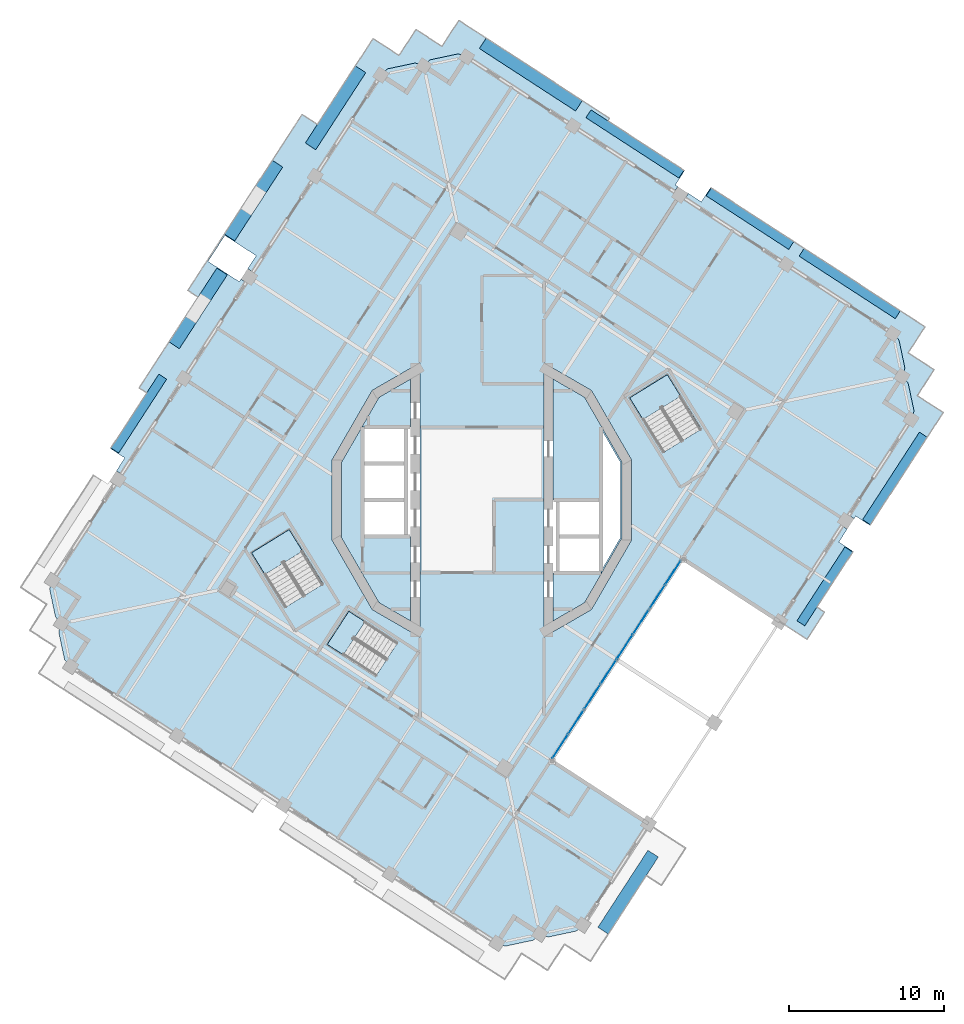
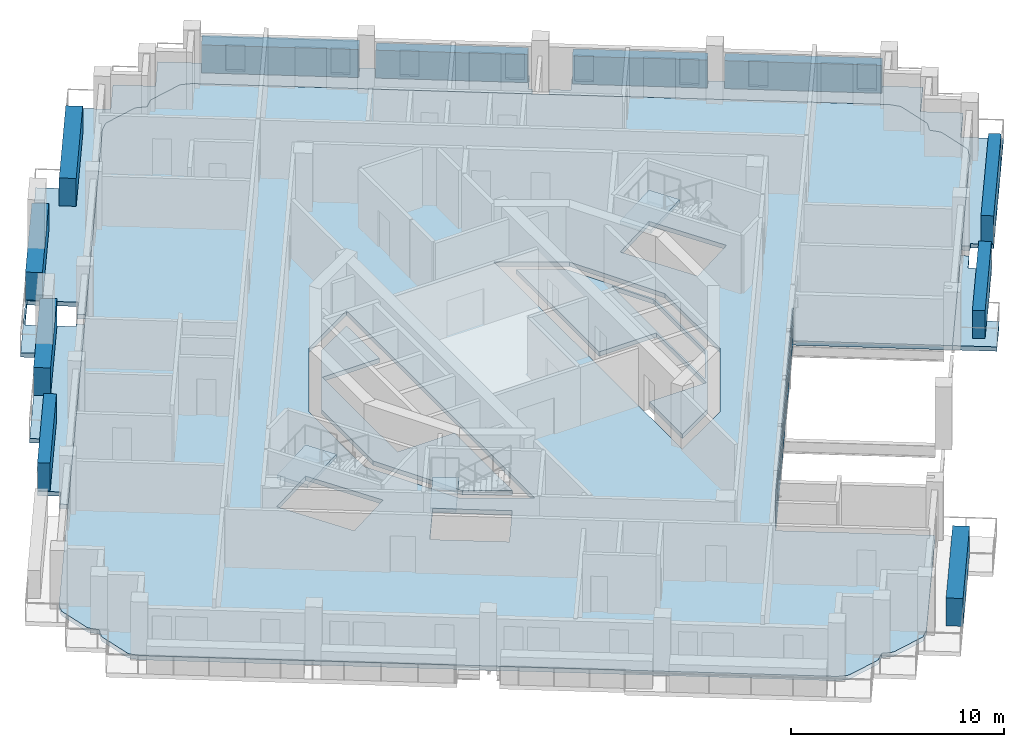
# One storey, part 4 of 17: 27 plates, 9 slabs, 4 elements without a shape of their own.
"""IFC4 building model written with IfcOpenShell, lengths in metres."""

from ifc_helpers import new_model, si_unit, direction, frame, origin, origin_2d, place, context, subcontext, project, spatial, polyline, rectangle, outline, extrude, material, layer, layer_set, type_object, element, aggregate, save


model = new_model("IFC4")

# Units and contexts
model_context = context("Model", 3, precision=1e-05, world=origin(), true_north=direction((0.0, 1.0)))
body_context = subcontext(model_context, "Body", "Model", "MODEL_VIEW")
ifc_project = project(units=[si_unit("LENGTHUNIT", "METRE"), si_unit("AREAUNIT", "SQUARE_METRE"), si_unit("VOLUMEUNIT", "CUBIC_METRE"), si_unit("PLANEANGLEUNIT", "RADIAN"), si_unit("MASSUNIT", "GRAM", prefix="KILO")], contexts=[model_context])

# Site, building, storey
site_placement = place(None, origin())
site = spatial("IfcSite", under=ifc_project, at=site_placement, CompositionType="ELEMENT")
building_placement = place(site_placement, origin())
building = spatial("IfcBuilding", under=site, at=building_placement, Name="Cantera Rosa Tower", CompositionType="ELEMENT")
storey_placement = place(building_placement, frame((0.0, 0.0, 257.699951171875)))
storey = spatial("IfcBuildingStorey", under=building, at=storey_placement, Name="L57", CompositionType="ELEMENT", Elevation=257.699951171875)

# Slabs
ifc_material_1 = material(Name="Concrete C35/45", Category="concrete")
ifc_layer_1 = layer(ifc_material_1, 0.25)
ifc_layer_set_1 = layer_set([ifc_layer_1], Name="COMPOSITE FLOOR SLAB 250 C35/45")
slab_type_1 = type_object("IfcSlabType", Name="COMPOSITE FLOOR SLAB 250 C35/45", PredefinedType="FLOOR", material=ifc_layer_set_1)
slab_1_placement = place(storey_placement, frame((0.0, 0.0, -0.25)))
element("IfcSlab", 1, at=slab_1_placement, inside=storey, type_object=slab_type_1, Name="SLAB L57 floor 1", PredefinedType="FLOOR", context=body_context, shape_type="SweptSolid", body=[
    extrude(outline(polyline([(-4.60009765625, -2.35009765625), (-4.60009765625, -7.804931640625), (-6.6318359375, -6.6318359375), (-9.059326171875, -2.427490234375), (-9.059326171875, 2.427490234375), (-6.6318359375, 6.6318359375), (-4.60009765625, 7.804931640625), (-4.60009765625, 4.699951171875), (-7.699951171875, 4.699951171875), (-7.699951171875, 2.35009765625), (-7.699951171875, 0.0), (-7.699951171875, -2.35009765625), (-4.60009765625, -2.35009765625)])), origin(), (0.0, 0.0, 1.0), 0.25),
])
slab_2_placement = place(storey_placement, frame((0.0, 0.0, -0.25)))
element("IfcSlab", 2, at=slab_2_placement, inside=storey, type_object=slab_type_1, Name="SLAB L57 floor 2", PredefinedType="FLOOR", context=body_context, shape_type="SweptSolid", body=[
    extrude(outline(polyline([(0.982421875, -28.598876953125), (0.106689453125, -28.030029296875), (-25.650146484375, -11.303466796875), (-26.52587890625, -10.734619140625), (-26.852783203125, -10.396240234375), (-26.873046875, -10.374755859375), (-26.890869140625, -10.351318359375), (-26.90625, -10.326416015625), (-26.919189453125, -10.2998046875), (-26.929443359375, -10.272216796875), (-26.93701171875, -10.243896484375), (-27.289794921875, -8.583740234375), (-27.294677734375, -8.5546875), (-27.29638671875, -8.525390625), (-27.29541015625, -8.49609375), (-27.29150390625, -8.466796875), (-27.28466796875, -8.43798828125), (-27.275146484375, -8.410400390625), (-27.114013671875, -7.968017578125), (-27.44091796875, -7.629638671875), (-27.461181640625, -7.608154296875), (-27.47900390625, -7.584716796875), (-27.494384765625, -7.559814453125), (-27.50732421875, -7.533203125), (-27.517578125, -7.505615234375), (-27.525146484375, -7.477294921875), (-27.8779296875, -5.817138671875), (-27.882568359375, -5.7880859375), (-27.884521484375, -5.7587890625), (-27.88330078125, -5.729248046875), (-27.87939453125, -5.7001953125), (-27.872802734375, -5.67138671875), (-27.863037109375, -5.643798828125), (-27.7021484375, -5.201416015625), (-27.13330078125, -4.32568359375), (-7.08447265625, 26.547119140625), (-6.515625, 27.4228515625), (-6.17724609375, 27.749755859375), (-6.15576171875, 27.769775390625), (-6.132080078125, 27.78759765625), (-6.107177734375, 27.802978515625), (-6.080810546875, 27.81591796875), (-6.05322265625, 27.826416015625), (-6.024658203125, 27.833740234375), (-4.36474609375, 28.186767578125), (-4.335693359375, 28.19140625), (-4.306396484375, 28.193115234375), (-4.27685546875, 28.192138671875), (-4.247802734375, 28.188232421875), (-4.218994140625, 28.181396484375), (-4.191162109375, 28.171875), (-3.7490234375, 28.0107421875), (-3.41064453125, 28.337890625), (-3.388916015625, 28.35791015625), (-3.365478515625, 28.375732421875), (-3.340576171875, 28.39111328125), (-3.314208984375, 28.404052734375), (-3.28662109375, 28.414306640625), (-3.258056640625, 28.421875), (-1.59814453125, 28.774658203125), (-1.569091796875, 28.779296875), (-1.539794921875, 28.78125), (-1.51025390625, 28.7802734375), (-1.481201171875, 28.7763671875), (-1.452392578125, 28.76953125), (-1.424560546875, 28.760009765625), (-0.982421875, 28.598876953125), (-0.106689453125, 28.030029296875), (25.650146484375, 11.303466796875), (26.52587890625, 10.734619140625), (26.852783203125, 10.396240234375), (26.873046875, 10.374755859375), (26.890869140625, 10.351318359375), (26.90625, 10.326416015625), (26.919189453125, 10.2998046875), (26.929443359375, 10.272216796875), (26.93701171875, 10.243896484375), (27.289794921875, 8.583740234375), (27.294677734375, 8.5546875), (27.29638671875, 8.525390625), (27.29541015625, 8.49609375), (27.29150390625, 8.466796875), (27.28466796875, 8.43798828125), (27.275146484375, 8.410400390625), (27.114013671875, 7.968017578125), (27.44091796875, 7.629638671875), (27.461181640625, 7.608154296875), (27.47900390625, 7.584716796875), (27.494384765625, 7.559814453125), (27.50732421875, 7.533203125), (27.517578125, 7.505615234375), (27.525146484375, 7.477294921875), (27.8779296875, 5.817138671875), (27.882568359375, 5.7880859375), (27.884521484375, 5.7587890625), (27.88330078125, 5.729248046875), (27.87939453125, 5.7001953125), (27.872802734375, 5.67138671875), (27.863037109375, 5.643798828125), (27.7021484375, 5.201416015625), (27.13330078125, 4.32568359375), (19.2275390625, -7.84814453125), (12.9375, -3.763427734375), (4.462890625, -16.81298828125), (10.7529296875, -20.89794921875), (7.08447265625, -26.547119140625), (6.515625, -27.4228515625), (6.17724609375, -27.749755859375), (6.15576171875, -27.769775390625), (6.132080078125, -27.78759765625), (6.107177734375, -27.802978515625), (6.080810546875, -27.81591796875), (6.05322265625, -27.826416015625), (6.024658203125, -27.833740234375), (4.36474609375, -28.186767578125), (4.335693359375, -28.19140625), (4.306396484375, -28.193115234375), (4.27685546875, -28.192138671875), (4.247802734375, -28.188232421875), (4.218994140625, -28.181396484375), (4.191162109375, -28.171875), (3.7490234375, -28.0107421875), (3.41064453125, -28.337890625), (3.388916015625, -28.35791015625), (3.365478515625, -28.375732421875), (3.340576171875, -28.39111328125), (3.314208984375, -28.404052734375), (3.28662109375, -28.414306640625), (3.258056640625, -28.421875), (1.59814453125, -28.774658203125), (1.569091796875, -28.779296875), (1.539794921875, -28.78125), (1.51025390625, -28.7802734375), (1.481201171875, -28.7763671875), (1.452392578125, -28.76953125), (1.424560546875, -28.760009765625), (0.982421875, -28.598876953125)]), holes=[polyline([(-8.581298828125, -7.1826171875), (-9.97021484375, -9.3212890625), (-6.835205078125, -11.357177734375), (-5.4462890625, -9.218505859375), (-8.581298828125, -7.1826171875)]), polyline([(-10.258544921875, -5.433349609375), (-12.430908203125, -1.911376953125), (-14.8564453125, -3.407470703125), (-12.68408203125, -6.929443359375), (-10.258544921875, -5.433349609375)]), polyline([(-9.6591796875, 2.588134765625), (-9.6591796875, -2.588134765625), (-7.071044921875, -7.071044921875), (-4.0, -8.843994140625), (-4.0, 8.843994140625), (-7.071044921875, 7.071044921875), (-9.6591796875, 2.588134765625)]), polyline([(9.6591796875, -2.588134765625), (9.6591796875, 2.588134765625), (7.071044921875, 7.071044921875), (4.0, 8.843994140625), (4.0, -8.843994140625), (7.071044921875, -7.071044921875), (9.6591796875, -2.588134765625)]), polyline([(14.1416015625, 4.566650390625), (11.96923828125, 8.088623046875), (9.54345703125, 6.592529296875), (11.7158203125, 3.070556640625), (14.1416015625, 4.566650390625)])]), origin(), (0.0, 0.0, 1.0), 0.25),
])
slab_3_placement = place(storey_placement, frame((0.0, 0.0, -0.25)))
element("IfcSlab", 3, at=slab_3_placement, inside=storey, type_object=slab_type_1, Name="SLAB L57 floor 3", PredefinedType="FLOOR", context=body_context, shape_type="SweptSolid", body=[
    extrude(outline(polyline([(7.699951171875, 0.0), (4.60009765625, 0.0), (4.60009765625, 7.804931640625), (6.6318359375, 6.6318359375), (9.059326171875, 2.427490234375), (9.059326171875, -2.427490234375), (6.6318359375, -6.6318359375), (4.60009765625, -7.804931640625), (4.60009765625, -4.699951171875), (7.699951171875, -4.699951171875), (7.699951171875, -2.35009765625), (7.699951171875, 0.0)]), holes=[polyline([(7.800048828125, 4.408447265625), (7.800048828125, 2.449951171875), (7.800048828125, 2.25), (7.800048828125, -2.25), (7.800048828125, -2.449951171875), (7.800048828125, -4.408447265625), (8.959228515625, -2.400634765625), (8.959228515625, 2.400634765625), (7.800048828125, 4.408447265625)])]), origin(), (0.0, 0.0, 1.0), 0.25),
])

# Curtain wall, plates
ifc_material_2 = material(Name="Aluminium frame with clear glass", Category="aluminium")
curtain_wall_type = type_object("IfcCurtainWallType", Name="CW1 TERRACE POCKET GLAZING", PredefinedType="NOTDEFINED", material=ifc_material_2)
curtain_wall_placement = place(storey_placement, origin())
curtain_wall = element("IfcCurtainWall", 4, at=curtain_wall_placement, inside=storey, type_object=curtain_wall_type, Name="CW1 CW1", PredefinedType="NOTDEFINED")
ifc_material_3 = material(Name="Aluminium frame with clear glass", Category="aluminium")
ifc_layer_2 = layer(ifc_material_3, 0.028076171875)
ifc_layer_set_2 = layer_set([ifc_layer_2], Name="CW-PANEL POCKET")
plate_type_1 = type_object("IfcPlateType", Name="CW-PANEL POCKET", PredefinedType="CURTAIN_PANEL", material=ifc_layer_set_2)
plate_1_placement = place(storey_placement, frame((5.060302734375, -15.893310546875, 0.06005859375), z_axis=(0.0, 0.0, 1.0), x_axis=(0.544639034986, 0.838670567964, 0.0)))
plate_1 = element("IfcPlate", 5, at=plate_1_placement, type_object=plate_type_1, Name="CW1 panel 1.1", PredefinedType="CURTAIN_PANEL", context=body_context, shape_type="SweptSolid", body=[
    extrude(rectangle(XDim=1.82373046875, YDim=0.028076171875, at=origin_2d()), origin(), (0.0, 0.0, 1.0), 0.94091796875),
])
plate_2_placement = place(storey_placement, frame((5.060302734375, -15.893310546875, 1.06103515625), z_axis=(0.0, 0.0, 1.0), x_axis=(0.544639034986, 0.838670567964, 0.0)))
plate_2 = element("IfcPlate", 6, at=plate_2_placement, type_object=plate_type_1, Name="CW1 panel 1.2", PredefinedType="CURTAIN_PANEL", context=body_context, shape_type="SweptSolid", body=[
    extrude(rectangle(XDim=1.82373046875, YDim=0.028076171875, at=origin_2d()), origin(), (0.0, 0.0, 1.0), 0.94091796875),
])
plate_3_placement = place(storey_placement, frame((6.094482421875, -14.30078125, 0.06005859375), z_axis=(0.0, 0.0, 1.0), x_axis=(0.544639034986, 0.838670567964, 0.0)))
plate_3 = element("IfcPlate", 7, at=plate_3_placement, type_object=plate_type_1, Name="CW1 panel 2.1", PredefinedType="CURTAIN_PANEL", context=body_context, shape_type="SweptSolid", body=[
    extrude(rectangle(XDim=1.853759765625, YDim=0.028076171875, at=origin_2d()), origin(), (0.0, 0.0, 1.0), 0.94091796875),
])
plate_4_placement = place(storey_placement, frame((6.094482421875, -14.30078125, 1.06103515625), z_axis=(0.0, 0.0, 1.0), x_axis=(0.544639034986, 0.838670567964, 0.0)))
plate_4 = element("IfcPlate", 8, at=plate_4_placement, type_object=plate_type_1, Name="CW1 panel 2.2", PredefinedType="CURTAIN_PANEL", context=body_context, shape_type="SweptSolid", body=[
    extrude(rectangle(XDim=1.853759765625, YDim=0.028076171875, at=origin_2d()), origin(), (0.0, 0.0, 1.0), 0.94091796875),
])
plate_5_placement = place(storey_placement, frame((7.13671875, -12.69580078125, 0.06005859375), z_axis=(0.0, 0.0, 1.0), x_axis=(0.544639034986, 0.838670567964, 0.0)))
plate_5 = element("IfcPlate", 9, at=plate_5_placement, type_object=plate_type_1, Name="CW1 panel 3.1", PredefinedType="CURTAIN_PANEL", context=body_context, shape_type="SweptSolid", body=[
    extrude(rectangle(XDim=1.853759765625, YDim=0.028076171875, at=origin_2d()), origin(), (0.0, 0.0, 1.0), 0.94091796875),
])
plate_6_placement = place(storey_placement, frame((7.13671875, -12.69580078125, 1.06103515625), z_axis=(0.0, 0.0, 1.0), x_axis=(0.544639034986, 0.838670567964, 0.0)))
plate_6 = element("IfcPlate", 10, at=plate_6_placement, type_object=plate_type_1, Name="CW1 panel 3.2", PredefinedType="CURTAIN_PANEL", context=body_context, shape_type="SweptSolid", body=[
    extrude(rectangle(XDim=1.853759765625, YDim=0.028076171875, at=origin_2d()), origin(), (0.0, 0.0, 1.0), 0.94091796875),
])
plate_7_placement = place(storey_placement, frame((8.178955078125, -11.0908203125, 0.06005859375), z_axis=(0.0, 0.0, 1.0), x_axis=(0.544639034986, 0.838670567964, 0.0)))
plate_7 = element("IfcPlate", 11, at=plate_7_placement, type_object=plate_type_1, Name="CW1 panel 4.1", PredefinedType="CURTAIN_PANEL", context=body_context, shape_type="SweptSolid", body=[
    extrude(rectangle(XDim=1.853759765625, YDim=0.028076171875, at=origin_2d()), origin(), (0.0, 0.0, 1.0), 0.94091796875),
])
plate_8_placement = place(storey_placement, frame((8.178955078125, -11.0908203125, 1.06103515625), z_axis=(0.0, 0.0, 1.0), x_axis=(0.544639034986, 0.838670567964, 0.0)))
plate_8 = element("IfcPlate", 12, at=plate_8_placement, type_object=plate_type_1, Name="CW1 panel 4.2", PredefinedType="CURTAIN_PANEL", context=body_context, shape_type="SweptSolid", body=[
    extrude(rectangle(XDim=1.853759765625, YDim=0.028076171875, at=origin_2d()), origin(), (0.0, 0.0, 1.0), 0.94091796875),
])
plate_9_placement = place(storey_placement, frame((9.221435546875, -9.48583984375, 0.06005859375), z_axis=(0.0, 0.0, 1.0), x_axis=(0.544639034986, 0.838670567964, 0.0)))
plate_9 = element("IfcPlate", 13, at=plate_9_placement, type_object=plate_type_1, Name="CW1 panel 5.1", PredefinedType="CURTAIN_PANEL", context=body_context, shape_type="SweptSolid", body=[
    extrude(rectangle(XDim=1.853759765625, YDim=0.028076171875, at=origin_2d()), origin(), (0.0, 0.0, 1.0), 0.94091796875),
])
plate_10_placement = place(storey_placement, frame((9.221435546875, -9.48583984375, 1.06103515625), z_axis=(0.0, 0.0, 1.0), x_axis=(0.544639034986, 0.838670567964, 0.0)))
plate_10 = element("IfcPlate", 14, at=plate_10_placement, type_object=plate_type_1, Name="CW1 panel 5.2", PredefinedType="CURTAIN_PANEL", context=body_context, shape_type="SweptSolid", body=[
    extrude(rectangle(XDim=1.853759765625, YDim=0.028076171875, at=origin_2d()), origin(), (0.0, 0.0, 1.0), 0.94091796875),
])
plate_11_placement = place(storey_placement, frame((10.263671875, -7.880859375, 0.06005859375), z_axis=(0.0, 0.0, 1.0), x_axis=(0.544639034986, 0.838670567964, 0.0)))
plate_11 = element("IfcPlate", 15, at=plate_11_placement, type_object=plate_type_1, Name="CW1 panel 6.1", PredefinedType="CURTAIN_PANEL", context=body_context, shape_type="SweptSolid", body=[
    extrude(rectangle(XDim=1.853759765625, YDim=0.028076171875, at=origin_2d()), origin(), (0.0, 0.0, 1.0), 0.94091796875),
])
plate_12_placement = place(storey_placement, frame((10.263671875, -7.880859375, 1.06103515625), z_axis=(0.0, 0.0, 1.0), x_axis=(0.544639034986, 0.838670567964, 0.0)))
plate_12 = element("IfcPlate", 16, at=plate_12_placement, type_object=plate_type_1, Name="CW1 panel 6.2", PredefinedType="CURTAIN_PANEL", context=body_context, shape_type="SweptSolid", body=[
    extrude(rectangle(XDim=1.853759765625, YDim=0.028076171875, at=origin_2d()), origin(), (0.0, 0.0, 1.0), 0.94091796875),
])
plate_13_placement = place(storey_placement, frame((11.305908203125, -6.27587890625, 0.06005859375), z_axis=(0.0, 0.0, 1.0), x_axis=(0.544639034986, 0.838670567964, 0.0)))
plate_13 = element("IfcPlate", 17, at=plate_13_placement, type_object=plate_type_1, Name="CW1 panel 7.1", PredefinedType="CURTAIN_PANEL", context=body_context, shape_type="SweptSolid", body=[
    extrude(rectangle(XDim=1.853759765625, YDim=0.028076171875, at=origin_2d()), origin(), (0.0, 0.0, 1.0), 0.94091796875),
])
plate_14_placement = place(storey_placement, frame((11.305908203125, -6.27587890625, 1.06103515625), z_axis=(0.0, 0.0, 1.0), x_axis=(0.544639034986, 0.838670567964, 0.0)))
plate_14 = element("IfcPlate", 18, at=plate_14_placement, type_object=plate_type_1, Name="CW1 panel 7.2", PredefinedType="CURTAIN_PANEL", context=body_context, shape_type="SweptSolid", body=[
    extrude(rectangle(XDim=1.853759765625, YDim=0.028076171875, at=origin_2d()), origin(), (0.0, 0.0, 1.0), 0.94091796875),
])
plate_15_placement = place(storey_placement, frame((12.340087890625, -4.683349609375, 0.06005859375), z_axis=(0.0, 0.0, 1.0), x_axis=(0.544639034986, 0.838670567964, 0.0)))
plate_15 = element("IfcPlate", 19, at=plate_15_placement, type_object=plate_type_1, Name="CW1 panel 8.1", PredefinedType="CURTAIN_PANEL", context=body_context, shape_type="SweptSolid", body=[
    extrude(rectangle(XDim=1.82373046875, YDim=0.028076171875, at=origin_2d()), origin(), (0.0, 0.0, 1.0), 0.94091796875),
])
plate_16_placement = place(storey_placement, frame((12.340087890625, -4.683349609375, 1.06103515625), z_axis=(0.0, 0.0, 1.0), x_axis=(0.544639034986, 0.838670567964, 0.0)))
plate_16 = element("IfcPlate", 20, at=plate_16_placement, type_object=plate_type_1, Name="CW1 panel 8.2", PredefinedType="CURTAIN_PANEL", context=body_context, shape_type="SweptSolid", body=[
    extrude(rectangle(XDim=1.82373046875, YDim=0.028076171875, at=origin_2d()), origin(), (0.0, 0.0, 1.0), 0.94091796875),
])
aggregate(curtain_wall, [plate_1, plate_2, plate_3, plate_4, plate_5, plate_6, plate_7, plate_8, plate_9, plate_10, plate_11, plate_12, plate_13, plate_14, plate_15, plate_16])

# Slabs
ifc_material_4 = material(Name="Concrete C35/45", Category="concrete")
ifc_layer_3 = layer(ifc_material_4, 0.25)
ifc_layer_set_3 = layer_set([ifc_layer_3], Name="LOGGIA SLAB 250 C35/45")
slab_type_2 = type_object("IfcSlabType", Name="LOGGIA SLAB 250 C35/45", PredefinedType="FLOOR", material=ifc_layer_set_3)
slab_4_placement = place(storey_placement, frame((0.0, 0.0, -0.25)))
element("IfcSlab", 21, at=slab_4_placement, inside=storey, type_object=slab_type_2, Name="LOGGIA SLAB L57 2", PredefinedType="FLOOR", context=body_context, shape_type="SweptSolid", body=[
    extrude(outline(polyline([(-18.31005859375, 13.0966796875), (-18.97216796875, 13.526611328125), (-11.599365234375, 24.8798828125), (-10.61083984375, 24.238037109375), (-7.94140625, 28.3486328125), (-7.015380859375, 29.7744140625), (-5.58984375, 28.848388671875), (-5.338134765625, 28.68505859375), (-5.1748046875, 28.936767578125), (-4.248779296875, 30.362548828125), (-2.822998046875, 29.4365234375), (-2.571533203125, 29.273193359375), (-2.408203125, 29.52490234375), (-1.482421875, 30.950439453125), (-0.056396484375, 30.024658203125), (8.246337890625, 24.6328125), (8.137451171875, 24.465087890625), (12.330810546875, 21.74169921875), (13.08544921875, 21.251708984375), (12.486328125, 20.3291015625), (12.654296875, 20.22021484375), (12.436279296875, 19.884765625), (-0.106689453125, 28.030029296875), (-0.982421875, 28.598876953125), (-1.424560546875, 28.760009765625), (-1.452392578125, 28.76953125), (-1.481201171875, 28.7763671875), (-1.51025390625, 28.7802734375), (-1.539794921875, 28.78125), (-1.569091796875, 28.779296875), (-1.59814453125, 28.774658203125), (-3.258056640625, 28.421875), (-3.28662109375, 28.414306640625), (-3.314208984375, 28.404052734375), (-3.340576171875, 28.39111328125), (-3.365478515625, 28.375732421875), (-3.388916015625, 28.35791015625), (-3.41064453125, 28.337890625), (-3.7490234375, 28.0107421875), (-4.191162109375, 28.171875), (-4.218994140625, 28.181396484375), (-4.247802734375, 28.188232421875), (-4.27685546875, 28.192138671875), (-4.306396484375, 28.193115234375), (-4.335693359375, 28.19140625), (-4.36474609375, 28.186767578125), (-6.024658203125, 27.833740234375), (-6.05322265625, 27.826416015625), (-6.080810546875, 27.81591796875), (-6.107177734375, 27.802978515625), (-6.132080078125, 27.78759765625), (-6.15576171875, 27.769775390625), (-6.17724609375, 27.749755859375), (-6.515625, 27.4228515625), (-7.08447265625, 26.547119140625), (-14.7724609375, 14.70849609375), (-15.10791015625, 14.926513671875), (-14.563232421875, 15.76513671875), (-16.575927734375, 17.072265625), (-17.665283203125, 15.39501953125), (-15.652587890625, 14.087646484375), (-15.543701171875, 14.255615234375), (-15.2080078125, 14.03759765625), (-23.2470703125, 1.65869140625), (-23.58251953125, 1.876708984375), (-23.037841796875, 2.71533203125), (-23.9619140625, 3.3154296875), (-21.625, 6.9140625), (-22.117431640625, 7.23388671875), (-18.31005859375, 13.0966796875)])), origin(), (0.0, 0.0, 1.0), 0.25),
])
slab_5_placement = place(storey_placement, frame((0.0, 0.0, -0.25)))
element("IfcSlab", 22, at=slab_5_placement, inside=storey, type_object=slab_type_2, Name="LOGGIA SLAB L57 4", PredefinedType="FLOOR", context=body_context, shape_type="SweptSolid", body=[
    extrude(outline(polyline([(23.2470703125, -1.65869140625), (23.58251953125, -1.876708984375), (23.037841796875, -2.71533203125), (23.9619140625, -3.3154296875), (21.625, -6.9140625), (22.117431640625, -7.23388671875), (20.9794921875, -8.986083984375), (19.2275390625, -7.84814453125), (23.2470703125, -1.65869140625)])), origin(), (0.0, 0.0, 1.0), 0.25),
])
slab_6_placement = place(storey_placement, frame((0.0, 0.0, -0.25)))
element("IfcSlab", 23, at=slab_6_placement, inside=storey, type_object=slab_type_2, Name="LOGGIA SLAB L57 5", PredefinedType="FLOOR", context=body_context, shape_type="SweptSolid", body=[
    extrude(outline(polyline([(21.723876953125, 15.641845703125), (27.343017578125, 11.992919921875), (28.600830078125, 11.17578125), (27.783935546875, 9.917724609375), (27.51171875, 9.49853515625), (27.930908203125, 9.22607421875), (29.18896484375, 8.4091796875), (28.3720703125, 7.151123046875), (28.099609375, 6.731689453125), (28.51904296875, 6.45947265625), (29.777099609375, 5.642578125), (28.960205078125, 4.384521484375), (25.540771484375, -0.880859375), (25.542236328125, -0.8818359375), (25.051025390625, -1.63818359375), (24.127197265625, -1.0380859375), (24.01806640625, -1.205810546875), (23.6826171875, -0.98779296875), (27.13330078125, 4.32568359375), (27.7021484375, 5.201416015625), (27.863037109375, 5.643798828125), (27.872802734375, 5.67138671875), (27.87939453125, 5.7001953125), (27.88330078125, 5.729248046875), (27.884521484375, 5.7587890625), (27.882568359375, 5.7880859375), (27.8779296875, 5.817138671875), (27.525146484375, 7.477294921875), (27.517578125, 7.505615234375), (27.50732421875, 7.533203125), (27.494384765625, 7.559814453125), (27.47900390625, 7.584716796875), (27.461181640625, 7.608154296875), (27.44091796875, 7.629638671875), (27.114013671875, 7.968017578125), (27.275146484375, 8.410400390625), (27.28466796875, 8.43798828125), (27.29150390625, 8.466796875), (27.29541015625, 8.49609375), (27.29638671875, 8.525390625), (27.294677734375, 8.5546875), (27.289794921875, 8.583740234375), (26.93701171875, 10.243896484375), (26.929443359375, 10.272216796875), (26.919189453125, 10.2998046875), (26.90625, 10.326416015625), (26.890869140625, 10.351318359375), (26.873046875, 10.374755859375), (26.852783203125, 10.396240234375), (26.52587890625, 10.734619140625), (25.650146484375, 11.303466796875), (13.107421875, 19.448974609375), (13.3251953125, 19.784423828125), (14.163818359375, 19.23974609375), (14.762939453125, 20.162353515625), (14.8466796875, 20.10791015625), (19.207763671875, 17.275634765625), (21.723876953125, 15.641845703125)])), origin(), (0.0, 0.0, 1.0), 0.25),
])

# Plates
ifc_material_5 = material(Name="Cantera stone planter with soil", Category="masonry")
plate_type_2 = type_object("IfcPlateType", Name="PLANTER 600", PredefinedType="USERDEFINED", material=ifc_material_5)
plate_17_placement = place(storey_placement, frame((23.740966796875, 13.97412109375, 0.0), z_axis=(0.0, 0.0, 1.0), x_axis=(-0.838670567945, 0.544639035015, 0.0)))
element("IfcPlate", 24, at=plate_17_placement, inside=storey, type_object=plate_type_2, Name="PLANTER L57-01", ObjectType="PLANTER", PredefinedType="USERDEFINED", context=body_context, shape_type="SweptSolid", body=[
    extrude(rectangle(XDim=7.39990234375, YDim=0.60009765625, at=origin_2d()), origin(), (0.0, 0.0, 1.0), 1.60009765625),
])
plate_18_placement = place(storey_placement, frame((17.30419921875, 18.154296875, 0.0), z_axis=(0.0, 0.0, 1.0), x_axis=(-0.838670567945, 0.544639035015, 0.0)))
element("IfcPlate", 25, at=plate_18_placement, inside=storey, type_object=plate_type_2, Name="PLANTER L57-02", ObjectType="PLANTER", PredefinedType="USERDEFINED", context=body_context, shape_type="SweptSolid", body=[
    extrude(rectangle(XDim=6.35009765625, YDim=0.60009765625, at=origin_2d()), origin(), (0.0, 0.0, 1.0), 1.60009765625),
])
plate_19_placement = place(storey_placement, frame((9.882080078125, 22.974365234375, 0.0), z_axis=(0.0, 0.0, 1.0), x_axis=(-0.838670567945, 0.544639035015, 0.0)))
element("IfcPlate", 26, at=plate_19_placement, inside=storey, type_object=plate_type_2, Name="PLANTER L57-03", ObjectType="PLANTER", PredefinedType="USERDEFINED", context=body_context, shape_type="SweptSolid", body=[
    extrude(rectangle(XDim=7.14990234375, YDim=0.60009765625, at=origin_2d()), origin(), (0.0, 0.0, 1.0), 1.60009765625),
])
for number, where, z_axis, x_axis, name in (
    (27, (-22.13623046875, 5.57568359375, 0.0), (0.0, 0.0, 1.0), (-0.544639035015, -0.838670567945, 0.0), "PLANTER L57-08"),
    (28, (22.13623046875, -5.57568359375, 0.0), (0.0, 0.0, 1.0), (0.544639035015, 0.838670567945, 0.0), "PLANTER L57-17"),
):
    element("IfcPlate", number, at=place(storey_placement, frame(where, z_axis=z_axis, x_axis=x_axis)), inside=storey, type_object=plate_type_2, Name=name, ObjectType="PLANTER", PredefinedType="USERDEFINED", context=body_context, shape_type="SweptSolid", body=[
        extrude(rectangle(XDim=5.679931640625, YDim=0.60009765625, at=origin_2d()), origin(), (0.0, 0.0, 1.0), 1.60009765625),
    ])
plate_20_placement = place(storey_placement, frame((26.657958984375, 1.390380859375, 0.0), z_axis=(0.0, 0.0, 1.0), x_axis=(0.544639035015, 0.838670567945, 0.0)))
element("IfcPlate", 29, at=plate_20_placement, inside=storey, type_object=plate_type_2, Name="PLANTER L57-18", ObjectType="PLANTER", PredefinedType="USERDEFINED", context=body_context, shape_type="SweptSolid", body=[
    extrude(rectangle(XDim=6.72998046875, YDim=0.60009765625, at=origin_2d()), origin(), (0.0, 0.0, 1.0), 1.60009765625),
])
ifc_material_6 = material(Name="Cantera stone planter with soil", Category="masonry")
plate_type_3 = type_object("IfcPlateType", Name="PLANTER 800", PredefinedType="USERDEFINED", material=ifc_material_6)
plate_21_placement = place(storey_placement, frame((3.1640625, 27.4560546875, 0.0), z_axis=(0.0, 0.0, 1.0), x_axis=(-0.838670567945, 0.544639035015, 0.0)))
element("IfcPlate", 30, at=plate_21_placement, inside=storey, type_object=plate_type_3, Name="PLANTER L57-04", ObjectType="PLANTER", PredefinedType="USERDEFINED", context=body_context, shape_type="SweptSolid", body=[
    extrude(rectangle(XDim=7.39990234375, YDim=0.800048828125, at=origin_2d()), origin(), (0.0, 0.0, 1.0), 1.60009765625),
])
plate_22_placement = place(storey_placement, frame((-9.438720703125, 25.30859375, 0.0), z_axis=(0.0, 0.0, 1.0), x_axis=(-0.544639035015, -0.838670567945, 0.0)))
element("IfcPlate", 31, at=plate_22_placement, inside=storey, type_object=plate_type_3, Name="PLANTER L57-05", ObjectType="PLANTER", PredefinedType="USERDEFINED", context=body_context, shape_type="SweptSolid", body=[
    extrude(rectangle(XDim=5.929931640625, YDim=0.800048828125, at=origin_2d()), origin(), (0.0, 0.0, 1.0), 1.60009765625),
])
for number, where, z_axis, x_axis, name in (
    (32, (-14.732421875, 19.32080078125, 0.0), (0.0, 0.0, 1.0), (-0.544639035015, -0.838670567945, 0.0), "PLANTER L57-06"),
    (33, (-18.3076171875, 12.365966796875, 0.0), (0.0, 0.0, 1.0), (-0.544639035015, -0.838670567945, 0.0), "PLANTER L57-07"),
):
    element("IfcPlate", number, at=place(storey_placement, frame(where, z_axis=z_axis, x_axis=x_axis)), inside=storey, type_object=plate_type_3, Name=name, ObjectType="PLANTER", PredefinedType="USERDEFINED", context=body_context, shape_type="SweptSolid", body=[
        extrude(rectangle(XDim=5.679931640625, YDim=0.800048828125, at=origin_2d()), origin(), (0.0, 0.0, 1.0), 1.60009765625),
    ])
plate_23_placement = place(storey_placement, frame((9.438720703125, -25.30859375, 0.0), z_axis=(0.0, 0.0, 1.0), x_axis=(0.544639035015, 0.838670567945, 0.0)))
element("IfcPlate", 34, at=plate_23_placement, inside=storey, type_object=plate_type_3, Name="PLANTER L57-14", ObjectType="PLANTER", PredefinedType="USERDEFINED", context=body_context, shape_type="SweptSolid", body=[
    extrude(rectangle(XDim=5.929931640625, YDim=0.800048828125, at=origin_2d()), origin(), (0.0, 0.0, 1.0), 1.60009765625),
])

# Stair, slab
ifc_material_7 = material(Name="Concrete C35/45", Category="concrete")
stair_type_1 = type_object("IfcStairType", Name="EXIT STAIR 1350 DOGLEG", PredefinedType="HALF_TURN_STAIR", material=ifc_material_7)
stair_1_placement = place(storey_placement, origin())
stair_1 = element("IfcStair", 35, at=stair_1_placement, inside=storey, type_object=stair_type_1, Name="L57 ST-51", PredefinedType="HALF_TURN_STAIR")
ifc_material_8 = material(Name="Concrete C35/45", Category="concrete")
ifc_layer_4 = layer(ifc_material_8, 0.199951171875)
ifc_layer_set_4 = layer_set([ifc_layer_4], Name="STAIR LANDING 200")
slab_type_3 = type_object("IfcSlabType", Name="STAIR LANDING 200", PredefinedType="LANDING", material=ifc_layer_set_4)
slab_7_placement = place(storey_placement, frame((0.0, 0.0, 1.60009765625)))
slab_7 = element("IfcSlab", 36, at=slab_7_placement, type_object=slab_type_3, Name="ST-51 landing 1", PredefinedType="LANDING", context=body_context, shape_type="SweptSolid", body=[
    extrude(outline(polyline([(12.8310546875, 6.691162109375), (11.96923828125, 8.088623046875), (9.54345703125, 6.592529296875), (10.405517578125, 5.19482421875), (12.8310546875, 6.691162109375)])), origin(), (0.0, 0.0, 1.0), 0.199951171875),
])
aggregate(stair_1, [slab_7])

stair_2_placement = place(storey_placement, origin())
stair_2 = element("IfcStair", 37, at=stair_2_placement, inside=storey, type_object=stair_type_1, Name="L57 ST-52", PredefinedType="HALF_TURN_STAIR")
slab_8_placement = place(storey_placement, frame((0.0, 0.0, 1.60009765625)))
slab_8 = element("IfcSlab", 38, at=slab_8_placement, type_object=slab_type_3, Name="ST-52 landing 1", PredefinedType="LANDING", context=body_context, shape_type="SweptSolid", body=[
    extrude(outline(polyline([(-11.56884765625, -3.308837890625), (-12.430908203125, -1.911376953125), (-14.8564453125, -3.407470703125), (-13.99462890625, -4.80517578125), (-11.56884765625, -3.308837890625)])), origin(), (0.0, 0.0, 1.0), 0.199951171875),
])
aggregate(stair_2, [slab_8])

ifc_material_9 = material(Name="Concrete C35/45", Category="concrete")
stair_type_2 = type_object("IfcStairType", Name="EXIT STAIR 1200 DOGLEG", PredefinedType="HALF_TURN_STAIR", material=ifc_material_9)
stair_3_placement = place(storey_placement, origin())
stair_3 = element("IfcStair", 39, at=stair_3_placement, inside=storey, type_object=stair_type_2, Name="L57 ST-53", PredefinedType="HALF_TURN_STAIR")
slab_9_placement = place(storey_placement, frame((0.0, 0.0, 1.60009765625)))
slab_9 = element("IfcSlab", 40, at=slab_9_placement, type_object=slab_type_3, Name="ST-53 landing 1", PredefinedType="LANDING", context=body_context, shape_type="SweptSolid", body=[
    extrude(outline(polyline([(-7.53955078125, -7.859130859375), (-8.581298828125, -7.1826171875), (-9.97021484375, -9.3212890625), (-8.928466796875, -9.997802734375), (-7.53955078125, -7.859130859375)])), origin(), (0.0, 0.0, 1.0), 0.199951171875),
])
aggregate(stair_3, [slab_9])

save(model, "model.ifc")
